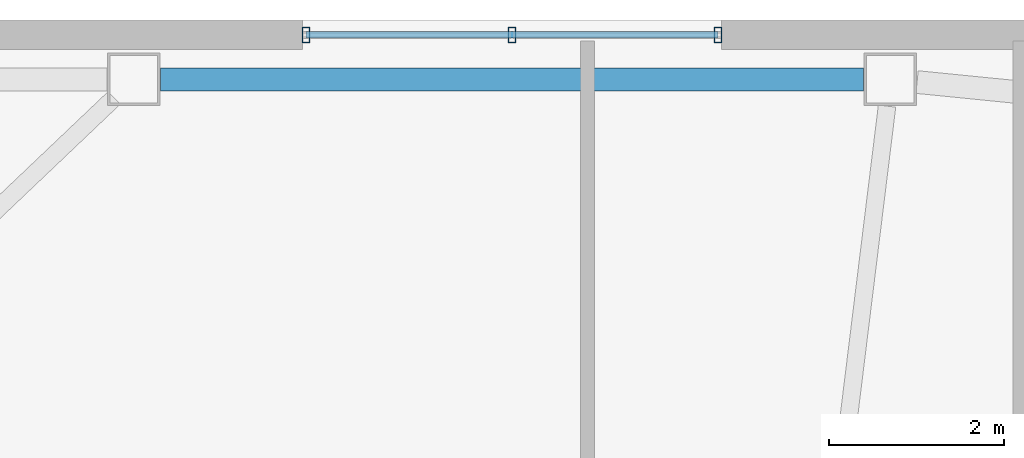
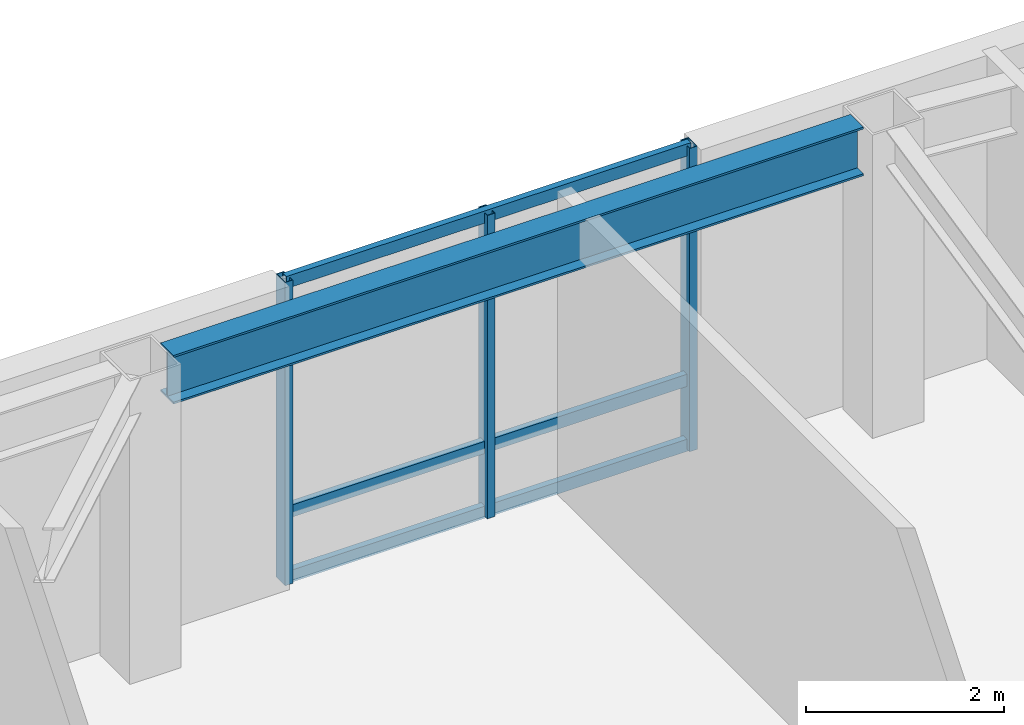
# One storey, part 6 of 18: 6 members, 1 beam, 1 element without a shape of its own.
"""IFC4 building model written with IfcOpenShell, lengths in metres."""

import ifcopenshell
import ifcopenshell.guid

model = None  # the IFC model being written
_history = None  # IfcOwnerHistory: only IFC2X3 demands one
_inside = {}  # id of a spatial element -> (the spatial element, [elements in it])
_under = {}  # id of a project, library or spatial element -> (it, [spatial elements below it])
_declared = {}  # id of a project -> (the project, [libraries it declares])
_typed = {}  # id of a type object -> (the type object, [elements of that type])
_made_of = {}  # id of a material, layer set ... -> (it, [elements and type objects made of it])


def new_model(schema):
    """Start an empty IFC model of exactly this schema.

    Asked for "IFC4X3", IfcOpenShell would pick the latest addendum, in which some entities
    have other attributes; the version numbers below select the first issue.
    IFC2X3 requires an IfcOwnerHistory on every rooted entity: one is made here for all.
    """
    global model, _history
    if schema == "IFC4X3":
        model = ifcopenshell.file(schema_version=(4, 3, 0, 0))
    else:
        model = ifcopenshell.file(schema=schema)
    _inside.clear()
    _under.clear()
    _declared.clear()
    _typed.clear()
    _made_of.clear()
    _history = None
    if model.schema == "IFC2X3":
        org = make("IfcOrganization", Name="unknown")
        user = make(
            "IfcPersonAndOrganization",
            ThePerson=make("IfcPerson", FamilyName="unknown"),
            TheOrganization=org,
        )
        app = make(
            "IfcApplication",
            ApplicationDeveloper=org,
            Version="unknown",
            ApplicationFullName="unknown",
            ApplicationIdentifier="unknown",
        )
        _history = make(
            "IfcOwnerHistory",
            OwningUser=user,
            OwningApplication=app,
            ChangeAction="ADDED",
            CreationDate=0,
        )
    return model


def make(cls, **values):
    """One entity of the class cls with the attributes given. An attribute that is None is left unset."""
    return model.create_entity(
        cls, **{name: value for name, value in values.items() if value is not None}
    )


def rooted(cls, **values):
    """An entity with a GlobalId (a new one), such as an element, a storey or a relation."""
    return make(cls, GlobalId=ifcopenshell.guid.new(), OwnerHistory=_history, **values)


def si_unit(unit_type, name, prefix=None):
    """IfcSIUnit, for example si_unit("LENGTHUNIT", "METRE", prefix="MILLI")."""
    return make("IfcSIUnit", UnitType=unit_type, Prefix=prefix, Name=name)


def assignment(units):
    """IfcUnitAssignment: the units of a project."""
    return None if units is None else make("IfcUnitAssignment", Units=units)


def point(xyz):
    """IfcCartesianPoint."""
    return None if xyz is None else make("IfcCartesianPoint", Coordinates=xyz)


def direction(xyz):
    """IfcDirection."""
    return None if xyz is None else make("IfcDirection", DirectionRatios=xyz)


def frame(location, z_axis=None, x_axis=None):
    """IfcAxis2Placement3D, a coordinate frame: its origin and axes. An axis left out is left unset."""
    return make(
        "IfcAxis2Placement3D",
        Location=point(location),
        Axis=direction(z_axis),
        RefDirection=direction(x_axis),
    )


def frame_2d(location, x_axis=None):
    """IfcAxis2Placement2D, a coordinate frame in the plane: its origin and x axis."""
    return make(
        "IfcAxis2Placement2D", Location=point(location), RefDirection=direction(x_axis)
    )


def origin():
    """The frame at (0, 0, 0) with its axes left unset."""
    return frame((0.0, 0.0, 0.0))


def origin_2d():
    """The frame at (0, 0) in the plane with its x axis left unset."""
    return frame_2d((0.0, 0.0))


def place(relative_to, where):
    """IfcLocalPlacement: puts the frame where relative to a parent placement (None: the world)."""
    return make(
        "IfcLocalPlacement", PlacementRelTo=relative_to, RelativePlacement=where
    )


def context(
    kind, dimensions, precision=None, world=None, true_north=None, identifier=None
):
    """IfcGeometricRepresentationContext, for example the 3D "Model" context."""
    return make(
        "IfcGeometricRepresentationContext",
        ContextIdentifier=identifier,
        ContextType=kind,
        CoordinateSpaceDimension=dimensions,
        Precision=precision,
        WorldCoordinateSystem=world,
        TrueNorth=true_north,
    )


def subcontext(parent, identifier, kind, view, scale=None):
    """IfcGeometricRepresentationSubContext, for example "Body" below "Model"."""
    return make(
        "IfcGeometricRepresentationSubContext",
        ContextIdentifier=identifier,
        ContextType=kind,
        ParentContext=parent,
        TargetScale=scale,
        TargetView=view,
    )


def project(units=None, contexts=None):
    """IfcProject with its units and contexts."""
    return rooted(
        "IfcProject",
        Name="project",
        RepresentationContexts=contexts,
        UnitsInContext=assignment(units),
    )


def spatial(cls, under=None, at=None, **own):
    """A site, building, storey or space (cls), placed at a placement, below another one or the project."""
    s = rooted(cls, ObjectPlacement=at, **own)
    if under is not None:
        _under.setdefault(under.id(), (under, []))[1].append(s)
    return s


def profile(cls, at=None, kind="AREA", **sizes):
    """A parametric profile (cls). Its sizes go by their IFC names, for example OverallWidth=200.0."""
    return make(cls, ProfileType=kind, Position=at, **sizes)


def hollow_rectangle(**sizes):
    """IfcRectangleHollowProfileDef."""
    return profile("IfcRectangleHollowProfileDef", **sizes)


def i_section(**sizes):
    """IfcIShapeProfileDef."""
    return profile("IfcIShapeProfileDef", **sizes)


def extrude(swept, where, along, depth):
    """IfcExtrudedAreaSolid: the profile swept, set in the frame where, extruded along a direction by depth."""
    return make(
        "IfcExtrudedAreaSolid",
        SweptArea=swept,
        Position=where,
        ExtrudedDirection=direction(along),
        Depth=depth,
    )


def shape(context_of_items, identifier, shape_type, items):
    """IfcShapeRepresentation: the items that make up one representation, for example the "Body"."""
    return make(
        "IfcShapeRepresentation",
        ContextOfItems=context_of_items,
        RepresentationIdentifier=identifier,
        RepresentationType=shape_type,
        Items=items,
    )


def material(Name=None, Category=None):
    """IfcMaterial."""
    return make("IfcMaterial", Name=Name, Category=Category)


def layer(
    of_material, thickness, ventilated=None, Name=None, Category=None, Priority=None
):
    """IfcMaterialLayer: one layer of a wall or slab, of a material (None: an air gap)."""
    return make(
        "IfcMaterialLayer",
        Material=of_material,
        LayerThickness=thickness,
        IsVentilated=ventilated,
        Name=Name,
        Category=Category,
        Priority=Priority,
    )


def layer_set(layers, Name=None):
    """IfcMaterialLayerSet."""
    return make("IfcMaterialLayerSet", MaterialLayers=layers, LayerSetName=Name)


def material_profile(
    of_material, cross_section, Name=None, Category=None, Priority=None
):
    """IfcMaterialProfile: a cross section and its material."""
    return make(
        "IfcMaterialProfile",
        Name=Name,
        Material=of_material,
        Profile=cross_section,
        Priority=Priority,
        Category=Category,
    )


def profile_set(profiles, Name=None, composite=None):
    """IfcMaterialProfileSet."""
    return make(
        "IfcMaterialProfileSet",
        Name=Name,
        MaterialProfiles=profiles,
        CompositeProfile=composite,
    )


def made_of(thing, what):
    """Note that an element or type object is made of a material, layer set ...; save() writes the relation."""
    if what is not None:
        _made_of.setdefault(what.id(), (what, []))[1].append(thing)
    return thing


def type_object(cls, material=None, **own):
    """A type object (cls), such as IfcWallType, which elements share."""
    return made_of(rooted(cls, **own), material)


def element(
    cls,
    number,
    at=None,
    inside=None,
    cuts=None,
    type_object=None,
    material=None,
    context=None,
    identifier="Body",
    shape_type=None,
    held_by="IfcProductDefinitionShape",
    body=None,
    shapes=None,
    **own,
):
    """One element of the class cls, such as IfcWall. Its Tag is "e" and its number.

    at: its placement. inside: the storey or other place that contains it. cuts: it is an
    opening in that element (IfcRelVoidsElement). A single representation is given by context,
    identifier, shape_type and body (its items); several are given by shapes. held_by: the class
    of the entity that holds the representations. save() writes the other relations.
    """
    e = rooted(cls, Tag="e%d" % number, ObjectPlacement=at, **own)
    if body is not None:
        shapes = [shape(context, identifier, shape_type, body)]
    if shapes is not None:
        e.Representation = make(held_by, Representations=shapes)
    if inside is not None:
        _inside.setdefault(inside.id(), (inside, []))[1].append(e)
    if cuts is not None:
        rooted(
            "IfcRelVoidsElement", RelatingBuildingElement=cuts, RelatedOpeningElement=e
        )
    if type_object is not None:
        _typed.setdefault(type_object.id(), (type_object, []))[1].append(e)
    return made_of(e, material)


def aggregate(whole, parts):
    """IfcRelAggregates: a whole, such as a stair, and the parts it consists of."""
    return rooted("IfcRelAggregates", RelatingObject=whole, RelatedObjects=parts)


def save(model, path):
    """Write the relations noted so far, then the file.

    IfcRelAggregates (storeys below a building ...), IfcRelContainedInSpatialStructure (elements
    in a storey), IfcRelDefinesByType, IfcRelAssociatesMaterial and IfcRelDeclares: one each for
    every whole, place, type object, material and project.
    """
    for whole, parts in _under.values():
        aggregate(whole, parts)
    for where, things in _inside.values():
        rooted(
            "IfcRelContainedInSpatialStructure",
            RelatedElements=things,
            RelatingStructure=where,
        )
    for kind, things in _typed.values():
        rooted("IfcRelDefinesByType", RelatedObjects=things, RelatingType=kind)
    for what, things in _made_of.values():
        rooted("IfcRelAssociatesMaterial", RelatedObjects=things, RelatingMaterial=what)
    for by, libraries in _declared.values():
        rooted("IfcRelDeclares", RelatingContext=by, RelatedDefinitions=libraries)
    model.write(path)


model = new_model("IFC4")

# Units and contexts
model_context = context("Model", 3, precision=1e-05, world=origin(), true_north=direction((0.0, 1.0)))
body_context = subcontext(model_context, "Body", "Model", "MODEL_VIEW")
ifc_project = project(units=[si_unit("LENGTHUNIT", "METRE"), si_unit("AREAUNIT", "SQUARE_METRE"), si_unit("VOLUMEUNIT", "CUBIC_METRE"), si_unit("PLANEANGLEUNIT", "RADIAN"), si_unit("MASSUNIT", "GRAM", prefix="KILO")], contexts=[model_context])

# Site, building, storey
site_placement = place(None, origin())
site = spatial("IfcSite", under=ifc_project, at=site_placement, CompositionType="ELEMENT")
building_placement = place(site_placement, origin())
building = spatial("IfcBuilding", under=site, at=building_placement, Name="Tavrogorsk Clinical Tower", CompositionType="ELEMENT")
storey_placement = place(building_placement, frame((0.0, 0.0, 192.199951171875)))
storey = spatial("IfcBuildingStorey", under=building, at=storey_placement, Name="L44", CompositionType="ELEMENT", Elevation=192.199951171875)

# Curtain wall, members
ifc_material_1 = material(Name="Anodised aluminium and triple IGU glazing", Category="aluminium")
ifc_layer = layer(ifc_material_1, 0.179931640625)
ifc_layer_set = layer_set([ifc_layer], Name="Anodised aluminium and triple IGU glazing")
curtain_wall_type = type_object("IfcCurtainWallType", Name="CW2_NorthSlot", PredefinedType="NOTDEFINED", material=ifc_layer_set)
curtain_wall_placement = place(storey_placement, origin())
curtain_wall = element("IfcCurtainWall", 1, at=curtain_wall_placement, inside=storey, type_object=curtain_wall_type, Name="L44 Curtain Wall CW-L44-N-SLOT-1", PredefinedType="NOTDEFINED")
ifc_material_2 = material(Name="Anodised aluminium alloy AW-6060", Category="aluminium")
ifc_material_profile_1 = material_profile(ifc_material_2, hollow_rectangle(XDim=0.090087890625, YDim=0.179931640625, WallThickness=0.00634765625, at=origin_2d()), Name="RHS-180x90x6.3")
ifc_profile_set_1 = profile_set([ifc_material_profile_1], Name="Anodised aluminium alloy AW-6060")
member_type_1 = type_object("IfcMemberType", Name="CwMullion_180x90", PredefinedType="MULLION", material=ifc_profile_set_1)
member_1_placement = place(storey_placement, frame((-3.90380859375, 26.929931640625, 0.0), z_axis=(0.0, 0.0, 1.0), x_axis=(-1.0, 0.0, 0.0)))
member_1 = element("IfcMember", 2, at=member_1_placement, type_object=member_type_1, Name="CW-L44-N-SLOT-1 Mullion 1", PredefinedType="MULLION", context=body_context, shape_type="SweptSolid", body=[
    extrude(hollow_rectangle(XDim=0.090087890625, YDim=0.179931640625, WallThickness=0.00634765625, at=origin_2d()), origin(), (0.0, 0.0, 1.0), 3.739990234375),
])
member_2_placement = place(storey_placement, frame((-6.262939453125, 26.929931640625, 0.0), z_axis=(0.0, 0.0, 1.0), x_axis=(-1.0, 0.0, 0.0)))
member_2 = element("IfcMember", 3, at=member_2_placement, type_object=member_type_1, Name="CW-L44-N-SLOT-1 Mullion 2", PredefinedType="MULLION", context=body_context, shape_type="SweptSolid", body=[
    extrude(hollow_rectangle(XDim=0.090087890625, YDim=0.179931640625, WallThickness=0.00634765625, at=origin_2d()), origin(), (0.0, 0.0, 1.0), 3.739990234375),
])
member_3_placement = place(storey_placement, frame((-8.621826171875, 26.929931640625, 0.0), z_axis=(0.0, 0.0, 1.0), x_axis=(-1.0, 0.0, 0.0)))
member_3 = element("IfcMember", 4, at=member_3_placement, type_object=member_type_1, Name="CW-L44-N-SLOT-1 Mullion 3", PredefinedType="MULLION", context=body_context, shape_type="SweptSolid", body=[
    extrude(hollow_rectangle(XDim=0.090087890625, YDim=0.179931640625, WallThickness=0.00634765625, at=origin_2d()), origin(), (0.0, 0.0, 1.0), 3.739990234375),
])
ifc_material_3 = material(Name="Anodised aluminium alloy AW-6060", Category="aluminium")
ifc_material_profile_2 = material_profile(ifc_material_3, hollow_rectangle(XDim=0.074951171875, YDim=0.14990234375, WallThickness=0.0048828125, at=origin_2d()), Name="RHS-150x75x5")
ifc_profile_set_2 = profile_set([ifc_material_profile_2], Name="Anodised aluminium alloy AW-6060")
member_type_2 = type_object("IfcMemberType", Name="CwTransom_150x75", PredefinedType="USERDEFINED", material=ifc_profile_set_2)
member_4_placement = place(storey_placement, frame((-3.90380859375, 26.929931640625, 0.050048828125), z_axis=(-1.0, 0.0, 0.0), x_axis=(0.0, -1.0, 0.0)))
member_4 = element("IfcMember", 5, at=member_4_placement, type_object=member_type_2, Name="CW-L44-N-SLOT-1 Transom 1", ObjectType="TRANSOM", PredefinedType="USERDEFINED", context=body_context, shape_type="SweptSolid", body=[
    extrude(hollow_rectangle(XDim=0.074951171875, YDim=0.14990234375, WallThickness=0.0048828125, at=origin_2d()), origin(), (0.0, 0.0, 1.0), 4.718017578125),
])
member_5_placement = place(storey_placement, frame((-3.90380859375, 26.929931640625, 0.85009765625), z_axis=(-1.0, 0.0, 0.0), x_axis=(0.0, -1.0, 0.0)))
member_5 = element("IfcMember", 6, at=member_5_placement, type_object=member_type_2, Name="CW-L44-N-SLOT-1 Transom 2", ObjectType="TRANSOM", PredefinedType="USERDEFINED", context=body_context, shape_type="SweptSolid", body=[
    extrude(hollow_rectangle(XDim=0.074951171875, YDim=0.14990234375, WallThickness=0.0048828125, at=origin_2d()), origin(), (0.0, 0.0, 1.0), 4.718017578125),
])
member_6_placement = place(storey_placement, frame((-3.90380859375, 26.929931640625, 3.68994140625), z_axis=(-1.0, 0.0, 0.0), x_axis=(0.0, -1.0, 0.0)))
member_6 = element("IfcMember", 7, at=member_6_placement, type_object=member_type_2, Name="CW-L44-N-SLOT-1 Transom 3", ObjectType="TRANSOM", PredefinedType="USERDEFINED", context=body_context, shape_type="SweptSolid", body=[
    extrude(hollow_rectangle(XDim=0.074951171875, YDim=0.14990234375, WallThickness=0.0048828125, at=origin_2d()), origin(), (0.0, 0.0, 1.0), 4.718017578125),
])
aggregate(curtain_wall, [member_1, member_2, member_3, member_4, member_5, member_6])

# Beam
ifc_material_4 = material(Name="Structural steel S390", Category="steel")
ifc_material_profile_3 = material_profile(ifc_material_4, i_section(OverallWidth=0.260009765625, OverallDepth=0.60009765625, WebThickness=0.014892578125, FlangeThickness=0.02392578125, at=origin_2d()), Name="B-600x260x15x24")
ifc_profile_set_3 = profile_set([ifc_material_profile_3], Name="Structural steel S390")
beam_type = type_object("IfcBeamType", Name="SpandrelBeam_B600", PredefinedType="SPANDREL", material=ifc_profile_set_3)
beam_placement = place(storey_placement, frame((-2.239501953125, 26.419921875, 3.43994140625), z_axis=(-1.0, 0.0, 0.0), x_axis=(0.0, -1.0, 0.0)))
element("IfcBeam", 8, at=beam_placement, inside=storey, type_object=beam_type, Name="L44 Perimeter Spandrel N5-N6", PredefinedType="SPANDREL", context=body_context, shape_type="SweptSolid", body=[
    extrude(i_section(OverallWidth=0.260009765625, OverallDepth=0.60009765625, WebThickness=0.014892578125, FlangeThickness=0.02392578125, at=origin_2d()), origin(), (0.0, 0.0, 1.0), 8.046875),
])

save(model, "model.ifc")
